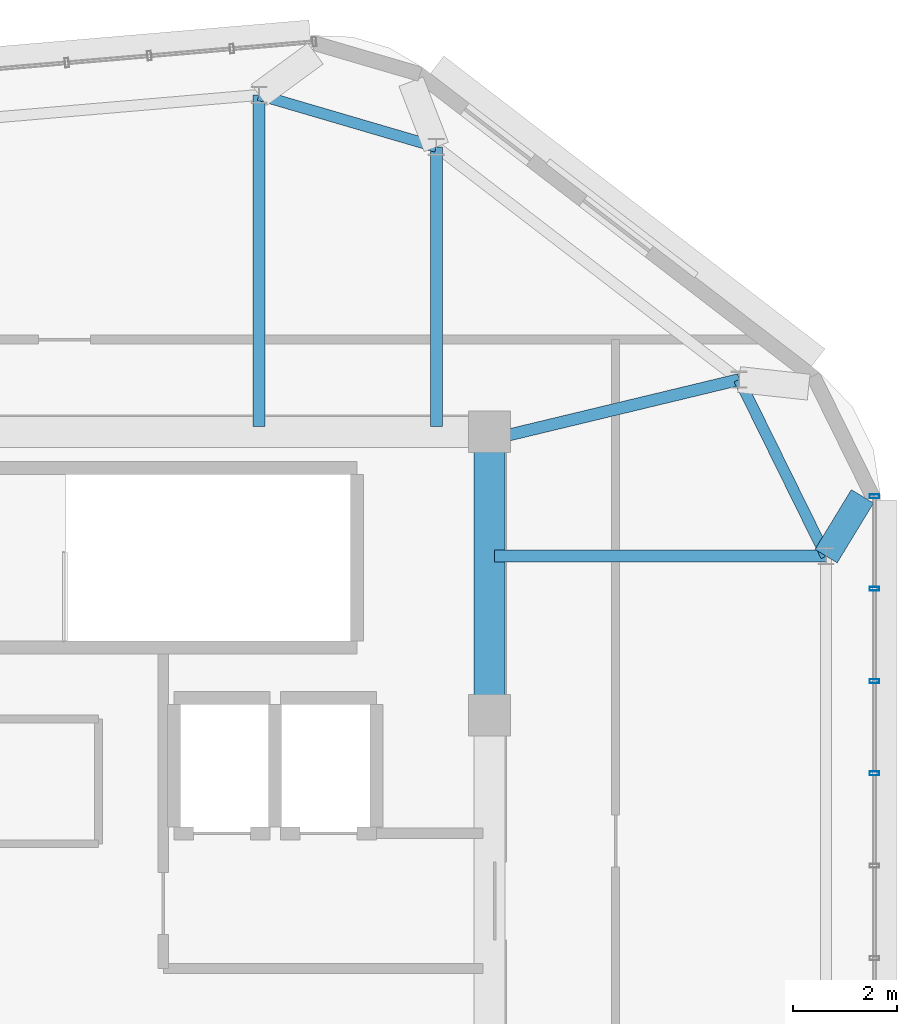
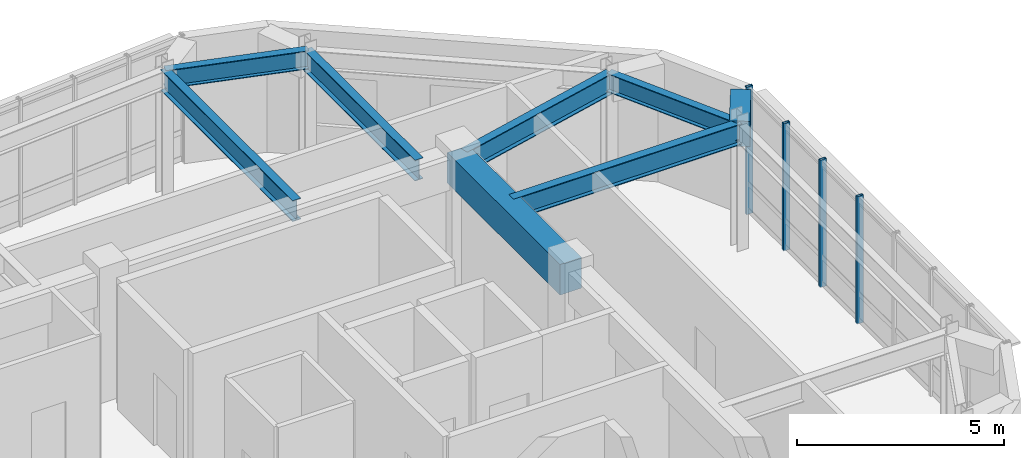
# One storey, part 8 of 13: 8 beams, 4 members, 1 element without a shape of its own.
"""IFC4 building model written with IfcOpenShell, lengths in metres."""

from ifc_helpers import new_model, si_unit, direction, frame, origin, origin_2d, place, context, subcontext, project, spatial, rectangle, hollow_rectangle, i_section, extrude, material, material_profile, profile_set, type_object, element, aggregate, save


model = new_model("IFC4")

# Units and contexts
model_context = context("Model", 3, precision=1e-05, world=origin(), true_north=direction((0.0, 1.0)))
body_context = subcontext(model_context, "Body", "Model", "MODEL_VIEW")
ifc_project = project(units=[si_unit("LENGTHUNIT", "METRE"), si_unit("AREAUNIT", "SQUARE_METRE"), si_unit("VOLUMEUNIT", "CUBIC_METRE"), si_unit("PLANEANGLEUNIT", "RADIAN"), si_unit("MASSUNIT", "GRAM", prefix="KILO")], contexts=[model_context])

# Site, building, storey
site_placement = place(None, origin())
site = spatial("IfcSite", under=ifc_project, at=site_placement, CompositionType="ELEMENT")
building_placement = place(site_placement, origin())
building = spatial("IfcBuilding", under=site, at=building_placement, Name="Zulverin Broadcast Headquarters", CompositionType="ELEMENT")
storey_placement = place(building_placement, frame((0.0, 0.0, 333.39990234375)))
storey = spatial("IfcBuildingStorey", under=building, at=storey_placement, Name="C6", CompositionType="ELEMENT", Elevation=333.39990234375)

# Beams
ifc_material_1 = material(Name="Concrete C60/75", Category="concrete")
ifc_material_profile_1 = material_profile(ifc_material_1, rectangle(XDim=0.60009765625, YDim=0.89990234375, at=origin_2d()), Name="Concrete C60/75", Category="concrete")
ifc_profile_set_1 = profile_set([ifc_material_profile_1], Name="Concrete C60/75")
beam_type_1 = type_object("IfcBeamType", Name="BM-CB-600x900", PredefinedType="LINTEL", material=ifc_profile_set_1)
beam_1_placement = place(storey_placement, frame((48.27490234375, 27.6201171875, 3.25), z_axis=(0.0, 1.0, 0.0), x_axis=(-1.0, 0.0, 0.0)))
element("IfcBeam", 1, at=beam_1_placement, inside=storey, type_object=beam_type_1, Name="C6 Core Coupling Girder K04-K05", PredefinedType="LINTEL", context=body_context, shape_type="SweptSolid", body=[
    extrude(rectangle(XDim=0.60009765625, YDim=0.89990234375, at=origin_2d()), origin(), (0.0, 0.0, 1.0), 5.454833984375),
])
ifc_material_2 = material(Name="Concrete C40/50", Category="concrete")
ifc_material_profile_2 = material_profile(ifc_material_2, rectangle(XDim=0.5, YDim=0.75, at=origin_2d()), Name="Concrete C40/50", Category="concrete")
ifc_profile_set_2 = profile_set([ifc_material_profile_2], Name="Concrete C40/50")
beam_type_2 = type_object("IfcBeamType", Name="BM-RC-500x750", PredefinedType="BEAM", material=ifc_profile_set_2)
beam_2_placement = place(storey_placement, frame((54.75, 30.683837890625, 3.3251953125), z_axis=(0.519872162046, 0.854244072341, 0.0), x_axis=(-0.854244072341, 0.519872162046, 0.0)))
element("IfcBeam", 2, at=beam_2_placement, inside=storey, type_object=beam_type_2, Name="RF Plate Overhang Back-Spanned Beam OVR-06", PredefinedType="BEAM", context=body_context, shape_type="SweptSolid", body=[
    extrude(rectangle(XDim=0.5, YDim=0.75, at=origin_2d()), origin(), (0.0, 0.0, 1.0), 1.346435546875),
])
ifc_material_3 = material(Name="Structural steel S355JR", Category="steel")
ifc_material_profile_3 = material_profile(ifc_material_3, i_section(OverallWidth=0.2119140625, OverallDepth=0.54443359375, WebThickness=0.0126953125, FlangeThickness=0.021240234375, at=origin_2d()), Name="Structural steel S355JR", Category="steel")
ifc_profile_set_3 = profile_set([ifc_material_profile_3], Name="Structural steel S355JR")
beam_type_3 = type_object("IfcBeamType", Name="BM-UB-533", PredefinedType="SPANDREL", material=ifc_profile_set_3)
beam_3_placement = place(storey_placement, frame((54.75, 30.683837890625, 3.427978515625), z_axis=(-0.441945069456, 0.897042114721, 0.0), x_axis=(-0.897042114721, -0.441945069456, 0.0)))
element("IfcBeam", 3, at=beam_3_placement, inside=storey, type_object=beam_type_3, Name="C6 Perimeter Spandrel Beam SP-06", PredefinedType="SPANDREL", context=body_context, shape_type="SweptSolid", body=[
    extrude(i_section(OverallWidth=0.2119140625, OverallDepth=0.54443359375, WebThickness=0.0126953125, FlangeThickness=0.021240234375, at=origin_2d()), origin(), (0.0, 0.0, 1.0), 3.786865234375),
])
beam_4_placement = place(storey_placement, frame((47.2509765625, 38.5576171875, 3.427978515625), z_axis=(-0.959638451128, 0.281236631888, 0.0), x_axis=(-0.281236631888, -0.959638451128, 0.0)))
element("IfcBeam", 4, at=beam_4_placement, inside=storey, type_object=beam_type_3, Name="C6 Perimeter Spandrel Beam SP-08", PredefinedType="SPANDREL", context=body_context, shape_type="SweptSolid", body=[
    extrude(i_section(OverallWidth=0.2119140625, OverallDepth=0.54443359375, WebThickness=0.0126953125, FlangeThickness=0.021240234375, at=origin_2d()), origin(), (0.0, 0.0, 1.0), 3.554931640625),
])
ifc_material_profile_4 = material_profile(ifc_material_3, i_section(OverallWidth=0.230224609375, OverallDepth=0.6171875, WebThickness=0.01318359375, FlangeThickness=0.022216796875, at=origin_2d()), Name="Structural steel S355JR", Category="steel")
ifc_profile_set_4 = profile_set([ifc_material_profile_4], Name="Structural steel S355JR")
beam_type_4 = type_object("IfcBeamType", Name="BM-UB-610", PredefinedType="BEAM", material=ifc_profile_set_4)
beam_5_placement = place(storey_placement, frame((48.375, 30.683837890625, 3.3916015625), z_axis=(1.0, 0.0, 0.0), x_axis=(0.0, 1.0, 0.0)))
element("IfcBeam", 5, at=beam_5_placement, inside=storey, type_object=beam_type_4, Name="C6 Radial Primary Floor Beam RB-06", PredefinedType="BEAM", context=body_context, shape_type="SweptSolid", body=[
    extrude(i_section(OverallWidth=0.230224609375, OverallDepth=0.6171875, WebThickness=0.01318359375, FlangeThickness=0.022216796875, at=origin_2d()), origin(), (0.0, 0.0, 1.0), 6.375),
])
beam_6_placement = place(storey_placement, frame((48.375, 32.949951171875, 3.3916015625), z_axis=(0.972268936395, 0.233865592428, 0.0), x_axis=(-0.233865592428, 0.972268936395, 0.0)))
element("IfcBeam", 6, at=beam_6_placement, inside=storey, type_object=beam_type_4, Name="C6 Radial Primary Floor Beam RB-07", PredefinedType="BEAM", context=body_context, shape_type="SweptSolid", body=[
    extrude(i_section(OverallWidth=0.230224609375, OverallDepth=0.6171875, WebThickness=0.01318359375, FlangeThickness=0.022216796875, at=origin_2d()), origin(), (0.0, 0.0, 1.0), 4.83544921875),
])
beam_7_placement = place(storey_placement, frame((47.2509765625, 33.175048828125, 3.3916015625), z_axis=(0.0, 1.0, 0.0), x_axis=(-1.0, 0.0, 0.0)))
element("IfcBeam", 7, at=beam_7_placement, inside=storey, type_object=beam_type_4, Name="C6 Radial Primary Floor Beam RB-08", PredefinedType="BEAM", context=body_context, shape_type="SweptSolid", body=[
    extrude(i_section(OverallWidth=0.230224609375, OverallDepth=0.6171875, WebThickness=0.01318359375, FlangeThickness=0.022216796875, at=origin_2d()), origin(), (0.0, 0.0, 1.0), 5.382568359375),
])
beam_8_placement = place(storey_placement, frame((43.839599609375, 33.175048828125, 3.3916015625), z_axis=(0.0, 1.0, 0.0), x_axis=(-1.0, 0.0, 0.0)))
element("IfcBeam", 8, at=beam_8_placement, inside=storey, type_object=beam_type_4, Name="C6 Radial Primary Floor Beam RB-09", PredefinedType="BEAM", context=body_context, shape_type="SweptSolid", body=[
    extrude(i_section(OverallWidth=0.230224609375, OverallDepth=0.6171875, WebThickness=0.01318359375, FlangeThickness=0.022216796875, at=origin_2d()), origin(), (0.0, 0.0, 1.0), 6.38232421875),
])

# Curtain wall, members
ifc_material_4 = material(Name="Crown damper-hall structural glass curtain wall", Category="glass")
curtain_wall_type = type_object("IfcCurtainWallType", Name="CW-CRN", PredefinedType="USERDEFINED", material=ifc_material_4)
curtain_wall_placement = place(storey_placement, origin())
curtain_wall = element("IfcCurtainWall", 9, at=curtain_wall_placement, inside=storey, type_object=curtain_wall_type, Name="C6 Unitised Curtain Wall CW-C6-E3", ObjectType="UNITISED CURTAIN WALL", PredefinedType="USERDEFINED")
ifc_material_5 = material(Name="Anodized pale-metal aluminium alloy 6063-T6", Category="aluminium")
ifc_material_profile_5 = material_profile(ifc_material_5, hollow_rectangle(XDim=0.074951171875, YDim=0.179931640625, WallThickness=0.0048828125, at=origin_2d()), Name="Anodized pale-metal aluminium alloy 6063-T6", Category="aluminium")
ifc_profile_set_5 = profile_set([ifc_material_profile_5], Name="Anodized pale-metal aluminium alloy 6063-T6")
member_type = type_object("IfcMemberType", Name="CW-MUL-180", PredefinedType="MULLION", material=ifc_profile_set_5)
member_1_placement = place(storey_placement, frame((55.679931640625, 26.50341796875, -0.02978515625), z_axis=(0.0, 0.0, 1.0), x_axis=(0.0, 1.0, 0.0)))
member_1 = element("IfcMember", 10, at=member_1_placement, type_object=member_type, Name="CW-C6-E3 Mullion 04", PredefinedType="MULLION", context=body_context, shape_type="SweptSolid", body=[
    extrude(hollow_rectangle(XDim=0.074951171875, YDim=0.179931640625, WallThickness=0.0048828125, at=origin_2d()), origin(), (0.0, 0.0, 1.0), 3.759765625),
])
member_2_placement = place(storey_placement, frame((55.679931640625, 28.2802734375, -0.02978515625), z_axis=(0.0, 0.0, 1.0), x_axis=(0.0, 1.0, 0.0)))
member_2 = element("IfcMember", 11, at=member_2_placement, type_object=member_type, Name="CW-C6-E3 Mullion 05", PredefinedType="MULLION", context=body_context, shape_type="SweptSolid", body=[
    extrude(hollow_rectangle(XDim=0.074951171875, YDim=0.179931640625, WallThickness=0.0048828125, at=origin_2d()), origin(), (0.0, 0.0, 1.0), 3.759765625),
])
member_3_placement = place(storey_placement, frame((55.679931640625, 30.05712890625, -0.02978515625), z_axis=(0.0, 0.0, 1.0), x_axis=(0.0, 1.0, 0.0)))
member_3 = element("IfcMember", 12, at=member_3_placement, type_object=member_type, Name="CW-C6-E3 Mullion 06", PredefinedType="MULLION", context=body_context, shape_type="SweptSolid", body=[
    extrude(hollow_rectangle(XDim=0.074951171875, YDim=0.179931640625, WallThickness=0.0048828125, at=origin_2d()), origin(), (0.0, 0.0, 1.0), 3.759765625),
])
member_4_placement = place(storey_placement, frame((55.679931640625, 31.833984375, -0.02978515625), z_axis=(0.0, 0.0, 1.0), x_axis=(0.0, 1.0, 0.0)))
member_4 = element("IfcMember", 13, at=member_4_placement, type_object=member_type, Name="CW-C6-E3 Mullion 07", PredefinedType="MULLION", context=body_context, shape_type="SweptSolid", body=[
    extrude(hollow_rectangle(XDim=0.074951171875, YDim=0.179931640625, WallThickness=0.0048828125, at=origin_2d()), origin(), (0.0, 0.0, 1.0), 3.759765625),
])
aggregate(curtain_wall, [member_1, member_2, member_3, member_4])

save(model, "model.ifc")
